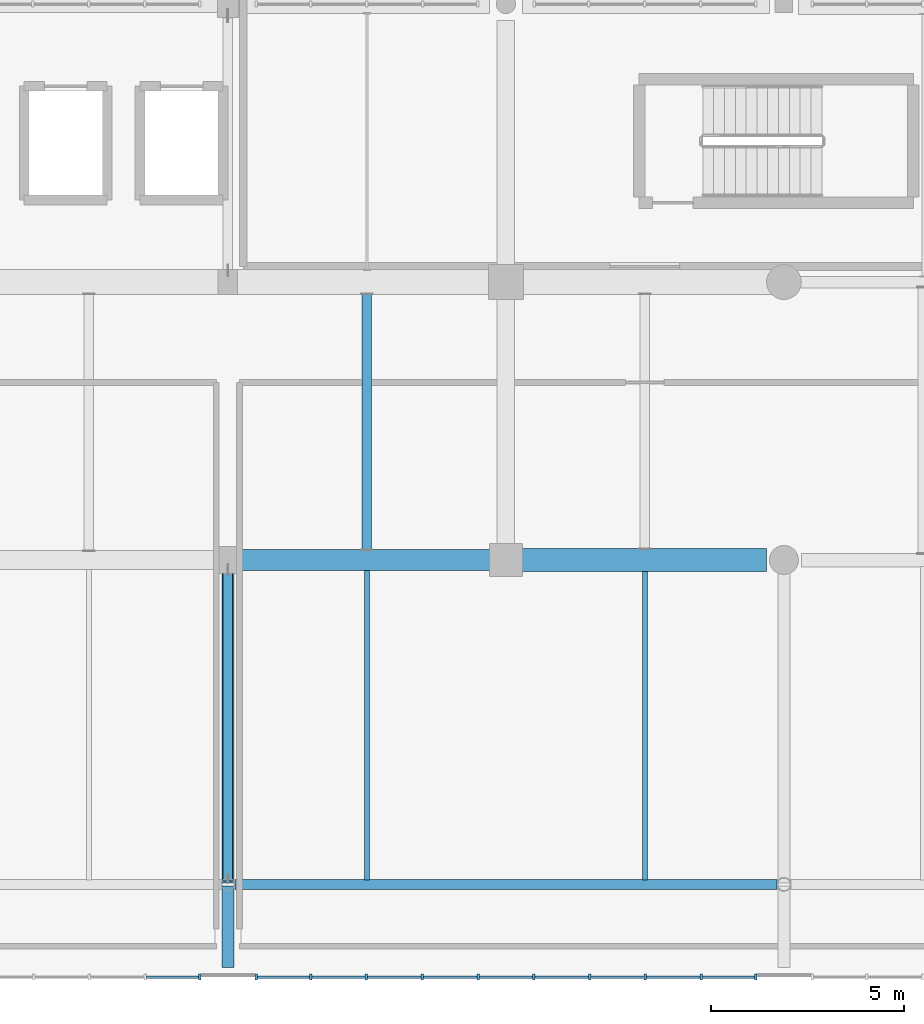
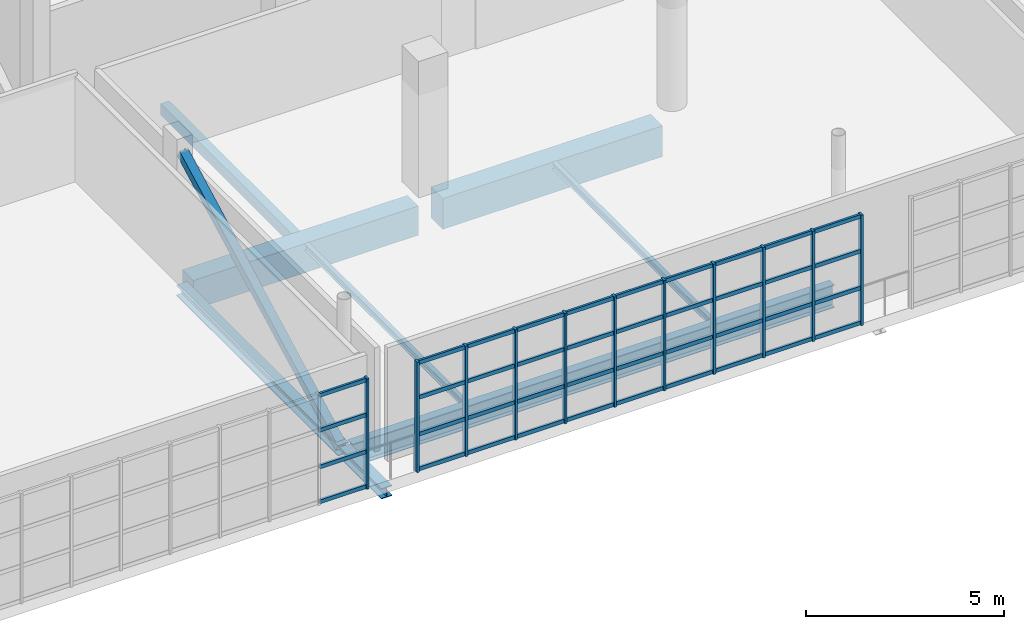
# One storey, part 28 of 90: 52 members, 8 beams, 2 elements without a shape of their own.
"""IFC4 building model written with IfcOpenShell, lengths in metres."""

from ifc_helpers import new_model, si_unit, direction, frame, origin, origin_2d, place, context, subcontext, project, spatial, rectangle, hollow_rectangle, i_section, extrude, material, material_profile, profile_set, type_object, element, aggregate, save


model = new_model("IFC4")

# Units and contexts
model_context = context("Model", 3, precision=1e-05, world=origin(), true_north=direction((0.0, 1.0)))
body_context = subcontext(model_context, "Body", "Model", "MODEL_VIEW")
ifc_project = project(units=[si_unit("LENGTHUNIT", "METRE"), si_unit("AREAUNIT", "SQUARE_METRE"), si_unit("VOLUMEUNIT", "CUBIC_METRE"), si_unit("PLANEANGLEUNIT", "RADIAN"), si_unit("MASSUNIT", "GRAM", prefix="KILO")], contexts=[model_context])

# Site, building, storey
site_placement = place(None, origin())
site = spatial("IfcSite", under=ifc_project, at=site_placement, CompositionType="ELEMENT")
building_placement = place(site_placement, origin())
building = spatial("IfcBuilding", under=site, at=building_placement, Name="Solanera Park Tramway Depot", CompositionType="ELEMENT")
storey_placement = place(building_placement, frame((0.0, 0.0, 9.0)))
storey = spatial("IfcBuildingStorey", under=building, at=storey_placement, Name="L02", CompositionType="ELEMENT", Elevation=9.0)

# Curtain wall, member
ifc_material_1 = material(Name="Bronze-anodised thermally broken aluminium curtain wall", Category="aluminium")
curtain_wall_type = type_object("IfcCurtainWallType", Name="Cantilevered OCC Inclined Glazing Wall", PredefinedType="NOTDEFINED", material=ifc_material_1)
curtain_wall_1_placement = place(storey_placement, origin())
curtain_wall_1 = element("IfcCurtainWall", 1, at=curtain_wall_1_placement, inside=storey, type_object=curtain_wall_type, Name="L02 Cantilevered OCC Inclined Glazing Wall #115", PredefinedType="NOTDEFINED")
ifc_material_2 = material(Name="Bronze-anodised structural aluminium 6063-T6", Category="aluminium")
ifc_material_profile_1 = material_profile(ifc_material_2, rectangle(XDim=0.06494140625, YDim=0.14990234375, at=origin_2d()), Name="Curtain Wall Mullion 65x150")
ifc_profile_set_1 = profile_set([ifc_material_profile_1], Name="Bronze-anodised structural aluminium 6063-T6")
member_type_1 = type_object("IfcMemberType", Name="Curtain Wall Mullion 65x150", PredefinedType="MULLION", material=ifc_profile_set_1)
member_1_placement = place(storey_placement, frame((128.867431640625, 0.0, 0.0), z_axis=(0.0, 0.0, 1.0), x_axis=(1.0, 0.0, 0.0)))
member_1 = element("IfcMember", 2, at=member_1_placement, type_object=member_type_1, Name="CW-L02-115 Mullion 10", PredefinedType="MULLION", context=body_context, shape_type="SweptSolid", body=[
    extrude(rectangle(XDim=0.06494140625, YDim=0.14990234375, at=origin_2d()), origin(), (0.0, 0.0, 1.0), 3.39990234375),
])

# Curtain wall, members
curtain_wall_2_placement = place(storey_placement, origin())
curtain_wall_2 = element("IfcCurtainWall", 3, at=curtain_wall_2_placement, inside=storey, type_object=curtain_wall_type, Name="L02 Cantilevered OCC Inclined Glazing Wall #116", PredefinedType="NOTDEFINED")
member_2_placement = place(storey_placement, frame((130.33251953125, 0.0, 0.0), z_axis=(0.0, 0.0, 1.0), x_axis=(1.0, 0.0, 0.0)))
member_2 = element("IfcMember", 4, at=member_2_placement, type_object=member_type_1, Name="CW-L02-116 Mullion 1", PredefinedType="MULLION", context=body_context, shape_type="SweptSolid", body=[
    extrude(rectangle(XDim=0.06494140625, YDim=0.14990234375, at=origin_2d()), origin(), (0.0, 0.0, 1.0), 3.39990234375),
])
member_3_placement = place(storey_placement, frame((131.744384765625, 0.0, 0.0), z_axis=(0.0, 0.0, 1.0), x_axis=(1.0, 0.0, 0.0)))
member_3 = element("IfcMember", 5, at=member_3_placement, type_object=member_type_1, Name="CW-L02-116 Mullion 2", PredefinedType="MULLION", context=body_context, shape_type="SweptSolid", body=[
    extrude(rectangle(XDim=0.06494140625, YDim=0.14990234375, at=origin_2d()), origin(), (0.0, 0.0, 1.0), 3.39990234375),
])
member_4_placement = place(storey_placement, frame((133.18896484375, 0.0, 0.0), z_axis=(0.0, 0.0, 1.0), x_axis=(1.0, 0.0, 0.0)))
member_4 = element("IfcMember", 6, at=member_4_placement, type_object=member_type_1, Name="CW-L02-116 Mullion 3", PredefinedType="MULLION", context=body_context, shape_type="SweptSolid", body=[
    extrude(rectangle(XDim=0.06494140625, YDim=0.14990234375, at=origin_2d()), origin(), (0.0, 0.0, 1.0), 3.39990234375),
])
member_5_placement = place(storey_placement, frame((134.63330078125, 0.0, 0.0), z_axis=(0.0, 0.0, 1.0), x_axis=(1.0, 0.0, 0.0)))
member_5 = element("IfcMember", 7, at=member_5_placement, type_object=member_type_1, Name="CW-L02-116 Mullion 4", PredefinedType="MULLION", context=body_context, shape_type="SweptSolid", body=[
    extrude(rectangle(XDim=0.06494140625, YDim=0.14990234375, at=origin_2d()), origin(), (0.0, 0.0, 1.0), 3.39990234375),
])
member_6_placement = place(storey_placement, frame((136.077880859375, 0.0, 0.0), z_axis=(0.0, 0.0, 1.0), x_axis=(1.0, 0.0, 0.0)))
member_6 = element("IfcMember", 8, at=member_6_placement, type_object=member_type_1, Name="CW-L02-116 Mullion 5", PredefinedType="MULLION", context=body_context, shape_type="SweptSolid", body=[
    extrude(rectangle(XDim=0.06494140625, YDim=0.14990234375, at=origin_2d()), origin(), (0.0, 0.0, 1.0), 3.39990234375),
])
member_7_placement = place(storey_placement, frame((137.522216796875, 0.0, 0.0), z_axis=(0.0, 0.0, 1.0), x_axis=(1.0, 0.0, 0.0)))
member_7 = element("IfcMember", 9, at=member_7_placement, type_object=member_type_1, Name="CW-L02-116 Mullion 6", PredefinedType="MULLION", context=body_context, shape_type="SweptSolid", body=[
    extrude(rectangle(XDim=0.06494140625, YDim=0.14990234375, at=origin_2d()), origin(), (0.0, 0.0, 1.0), 3.39990234375),
])
member_8_placement = place(storey_placement, frame((138.966796875, 0.0, 0.0), z_axis=(0.0, 0.0, 1.0), x_axis=(1.0, 0.0, 0.0)))
member_8 = element("IfcMember", 10, at=member_8_placement, type_object=member_type_1, Name="CW-L02-116 Mullion 7", PredefinedType="MULLION", context=body_context, shape_type="SweptSolid", body=[
    extrude(rectangle(XDim=0.06494140625, YDim=0.14990234375, at=origin_2d()), origin(), (0.0, 0.0, 1.0), 3.39990234375),
])
member_9_placement = place(storey_placement, frame((140.4111328125, 0.0, 0.0), z_axis=(0.0, 0.0, 1.0), x_axis=(1.0, 0.0, 0.0)))
member_9 = element("IfcMember", 11, at=member_9_placement, type_object=member_type_1, Name="CW-L02-116 Mullion 8", PredefinedType="MULLION", context=body_context, shape_type="SweptSolid", body=[
    extrude(rectangle(XDim=0.06494140625, YDim=0.14990234375, at=origin_2d()), origin(), (0.0, 0.0, 1.0), 3.39990234375),
])
member_10_placement = place(storey_placement, frame((141.855712890625, 0.0, 0.0), z_axis=(0.0, 0.0, 1.0), x_axis=(1.0, 0.0, 0.0)))
member_10 = element("IfcMember", 12, at=member_10_placement, type_object=member_type_1, Name="CW-L02-116 Mullion 9", PredefinedType="MULLION", context=body_context, shape_type="SweptSolid", body=[
    extrude(rectangle(XDim=0.06494140625, YDim=0.14990234375, at=origin_2d()), origin(), (0.0, 0.0, 1.0), 3.39990234375),
])
member_11_placement = place(storey_placement, frame((143.267578125, 0.0, 0.0), z_axis=(0.0, 0.0, 1.0), x_axis=(1.0, 0.0, 0.0)))
member_11 = element("IfcMember", 13, at=member_11_placement, type_object=member_type_1, Name="CW-L02-116 Mullion 10", PredefinedType="MULLION", context=body_context, shape_type="SweptSolid", body=[
    extrude(rectangle(XDim=0.06494140625, YDim=0.14990234375, at=origin_2d()), origin(), (0.0, 0.0, 1.0), 3.39990234375),
])

# Member
ifc_material_3 = material(Name="Bronze-anodised structural aluminium 6063-T6", Category="aluminium")
ifc_material_profile_2 = material_profile(ifc_material_3, rectangle(XDim=0.06494140625, YDim=0.1201171875, at=origin_2d()), Name="Curtain Wall Transom 65x120")
ifc_profile_set_2 = profile_set([ifc_material_profile_2], Name="Bronze-anodised structural aluminium 6063-T6")
member_type_2 = type_object("IfcMemberType", Name="Curtain Wall Transom 65x120", PredefinedType="USERDEFINED", material=ifc_profile_set_2)
member_12_placement = place(storey_placement, frame((127.483642578125, 0.0, 0.06005859375), z_axis=(1.0, 0.0, 0.0), x_axis=(0.0, 1.0, 0.0)))
member_12 = element("IfcMember", 14, at=member_12_placement, type_object=member_type_2, Name="CW-L02-115 Transom R1.C9", ObjectType="TRANSOM", PredefinedType="USERDEFINED", context=body_context, shape_type="SweptSolid", body=[
    extrude(rectangle(XDim=0.06494140625, YDim=0.1201171875, at=origin_2d()), origin(), (0.0, 0.0, 1.0), 1.35595703125),
])

member_13_placement = place(storey_placement, frame((127.483642578125, 0.0, 1.13330078125), z_axis=(1.0, 0.0, 0.0), x_axis=(0.0, 1.0, 0.0)))
member_13 = element("IfcMember", 15, at=member_13_placement, type_object=member_type_2, Name="CW-L02-115 Transom R2.C9", ObjectType="TRANSOM", PredefinedType="USERDEFINED", context=body_context, shape_type="SweptSolid", body=[
    extrude(rectangle(XDim=0.06494140625, YDim=0.1201171875, at=origin_2d()), origin(), (0.0, 0.0, 1.0), 1.35595703125),
])

member_14_placement = place(storey_placement, frame((127.483642578125, 0.0, 2.2666015625), z_axis=(1.0, 0.0, 0.0), x_axis=(0.0, 1.0, 0.0)))
member_14 = element("IfcMember", 16, at=member_14_placement, type_object=member_type_2, Name="CW-L02-115 Transom R3.C9", ObjectType="TRANSOM", PredefinedType="USERDEFINED", context=body_context, shape_type="SweptSolid", body=[
    extrude(rectangle(XDim=0.06494140625, YDim=0.1201171875, at=origin_2d()), origin(), (0.0, 0.0, 1.0), 1.35595703125),
])

member_15_placement = place(storey_placement, frame((127.483642578125, 0.0, 3.340087890625), z_axis=(1.0, 0.0, 0.0), x_axis=(0.0, 1.0, 0.0)))
member_15 = element("IfcMember", 17, at=member_15_placement, type_object=member_type_2, Name="CW-L02-115 Transom R4.C9", ObjectType="TRANSOM", PredefinedType="USERDEFINED", context=body_context, shape_type="SweptSolid", body=[
    extrude(rectangle(XDim=0.06494140625, YDim=0.1201171875, at=origin_2d()), origin(), (0.0, 0.0, 1.0), 1.35595703125),
])

aggregate(curtain_wall_1, [member_1, member_12, member_13, member_14, member_15])

member_16_placement = place(storey_placement, frame((130.360595703125, 0.0, 0.06005859375), z_axis=(1.0, 0.0, 0.0), x_axis=(0.0, 1.0, 0.0)))
member_16 = element("IfcMember", 18, at=member_16_placement, type_object=member_type_2, Name="CW-L02-116 Transom R1.C1", ObjectType="TRANSOM", PredefinedType="USERDEFINED", context=body_context, shape_type="SweptSolid", body=[
    extrude(rectangle(XDim=0.06494140625, YDim=0.1201171875, at=origin_2d()), origin(), (0.0, 0.0, 1.0), 1.355712890625),
])

member_17_placement = place(storey_placement, frame((131.7724609375, 0.0, 0.06005859375), z_axis=(1.0, 0.0, 0.0), x_axis=(0.0, 1.0, 0.0)))
member_17 = element("IfcMember", 19, at=member_17_placement, type_object=member_type_2, Name="CW-L02-116 Transom R1.C2", ObjectType="TRANSOM", PredefinedType="USERDEFINED", context=body_context, shape_type="SweptSolid", body=[
    extrude(rectangle(XDim=0.06494140625, YDim=0.1201171875, at=origin_2d()), origin(), (0.0, 0.0, 1.0), 1.388427734375),
])

member_18_placement = place(storey_placement, frame((133.216796875, 0.0, 0.06005859375), z_axis=(1.0, 0.0, 0.0), x_axis=(0.0, 1.0, 0.0)))
member_18 = element("IfcMember", 20, at=member_18_placement, type_object=member_type_2, Name="CW-L02-116 Transom R1.C3", ObjectType="TRANSOM", PredefinedType="USERDEFINED", context=body_context, shape_type="SweptSolid", body=[
    extrude(rectangle(XDim=0.06494140625, YDim=0.1201171875, at=origin_2d()), origin(), (0.0, 0.0, 1.0), 1.388427734375),
])

member_19_placement = place(storey_placement, frame((134.661376953125, 0.0, 0.06005859375), z_axis=(1.0, 0.0, 0.0), x_axis=(0.0, 1.0, 0.0)))
member_19 = element("IfcMember", 21, at=member_19_placement, type_object=member_type_2, Name="CW-L02-116 Transom R1.C4", ObjectType="TRANSOM", PredefinedType="USERDEFINED", context=body_context, shape_type="SweptSolid", body=[
    extrude(rectangle(XDim=0.06494140625, YDim=0.1201171875, at=origin_2d()), origin(), (0.0, 0.0, 1.0), 1.388427734375),
])

member_20_placement = place(storey_placement, frame((136.105712890625, 0.0, 0.06005859375), z_axis=(1.0, 0.0, 0.0), x_axis=(0.0, 1.0, 0.0)))
member_20 = element("IfcMember", 22, at=member_20_placement, type_object=member_type_2, Name="CW-L02-116 Transom R1.C5", ObjectType="TRANSOM", PredefinedType="USERDEFINED", context=body_context, shape_type="SweptSolid", body=[
    extrude(rectangle(XDim=0.06494140625, YDim=0.1201171875, at=origin_2d()), origin(), (0.0, 0.0, 1.0), 1.388427734375),
])

member_21_placement = place(storey_placement, frame((137.55029296875, 0.0, 0.06005859375), z_axis=(1.0, 0.0, 0.0), x_axis=(0.0, 1.0, 0.0)))
member_21 = element("IfcMember", 23, at=member_21_placement, type_object=member_type_2, Name="CW-L02-116 Transom R1.C6", ObjectType="TRANSOM", PredefinedType="USERDEFINED", context=body_context, shape_type="SweptSolid", body=[
    extrude(rectangle(XDim=0.06494140625, YDim=0.1201171875, at=origin_2d()), origin(), (0.0, 0.0, 1.0), 1.388427734375),
])

member_22_placement = place(storey_placement, frame((138.99462890625, 0.0, 0.06005859375), z_axis=(1.0, 0.0, 0.0), x_axis=(0.0, 1.0, 0.0)))
member_22 = element("IfcMember", 24, at=member_22_placement, type_object=member_type_2, Name="CW-L02-116 Transom R1.C7", ObjectType="TRANSOM", PredefinedType="USERDEFINED", context=body_context, shape_type="SweptSolid", body=[
    extrude(rectangle(XDim=0.06494140625, YDim=0.1201171875, at=origin_2d()), origin(), (0.0, 0.0, 1.0), 1.388427734375),
])

member_23_placement = place(storey_placement, frame((140.439208984375, 0.0, 0.06005859375), z_axis=(1.0, 0.0, 0.0), x_axis=(0.0, 1.0, 0.0)))
member_23 = element("IfcMember", 25, at=member_23_placement, type_object=member_type_2, Name="CW-L02-116 Transom R1.C8", ObjectType="TRANSOM", PredefinedType="USERDEFINED", context=body_context, shape_type="SweptSolid", body=[
    extrude(rectangle(XDim=0.06494140625, YDim=0.1201171875, at=origin_2d()), origin(), (0.0, 0.0, 1.0), 1.388427734375),
])

member_24_placement = place(storey_placement, frame((141.883544921875, 0.0, 0.06005859375), z_axis=(1.0, 0.0, 0.0), x_axis=(0.0, 1.0, 0.0)))
member_24 = element("IfcMember", 26, at=member_24_placement, type_object=member_type_2, Name="CW-L02-116 Transom R1.C9", ObjectType="TRANSOM", PredefinedType="USERDEFINED", context=body_context, shape_type="SweptSolid", body=[
    extrude(rectangle(XDim=0.06494140625, YDim=0.1201171875, at=origin_2d()), origin(), (0.0, 0.0, 1.0), 1.35595703125),
])

member_25_placement = place(storey_placement, frame((130.360595703125, 0.0, 1.13330078125), z_axis=(1.0, 0.0, 0.0), x_axis=(0.0, 1.0, 0.0)))
member_25 = element("IfcMember", 27, at=member_25_placement, type_object=member_type_2, Name="CW-L02-116 Transom R2.C1", ObjectType="TRANSOM", PredefinedType="USERDEFINED", context=body_context, shape_type="SweptSolid", body=[
    extrude(rectangle(XDim=0.06494140625, YDim=0.1201171875, at=origin_2d()), origin(), (0.0, 0.0, 1.0), 1.355712890625),
])

member_26_placement = place(storey_placement, frame((131.7724609375, 0.0, 1.13330078125), z_axis=(1.0, 0.0, 0.0), x_axis=(0.0, 1.0, 0.0)))
member_26 = element("IfcMember", 28, at=member_26_placement, type_object=member_type_2, Name="CW-L02-116 Transom R2.C2", ObjectType="TRANSOM", PredefinedType="USERDEFINED", context=body_context, shape_type="SweptSolid", body=[
    extrude(rectangle(XDim=0.06494140625, YDim=0.1201171875, at=origin_2d()), origin(), (0.0, 0.0, 1.0), 1.388427734375),
])

member_27_placement = place(storey_placement, frame((133.216796875, 0.0, 1.13330078125), z_axis=(1.0, 0.0, 0.0), x_axis=(0.0, 1.0, 0.0)))
member_27 = element("IfcMember", 29, at=member_27_placement, type_object=member_type_2, Name="CW-L02-116 Transom R2.C3", ObjectType="TRANSOM", PredefinedType="USERDEFINED", context=body_context, shape_type="SweptSolid", body=[
    extrude(rectangle(XDim=0.06494140625, YDim=0.1201171875, at=origin_2d()), origin(), (0.0, 0.0, 1.0), 1.388427734375),
])

member_28_placement = place(storey_placement, frame((134.661376953125, 0.0, 1.13330078125), z_axis=(1.0, 0.0, 0.0), x_axis=(0.0, 1.0, 0.0)))
member_28 = element("IfcMember", 30, at=member_28_placement, type_object=member_type_2, Name="CW-L02-116 Transom R2.C4", ObjectType="TRANSOM", PredefinedType="USERDEFINED", context=body_context, shape_type="SweptSolid", body=[
    extrude(rectangle(XDim=0.06494140625, YDim=0.1201171875, at=origin_2d()), origin(), (0.0, 0.0, 1.0), 1.388427734375),
])

member_29_placement = place(storey_placement, frame((136.105712890625, 0.0, 1.13330078125), z_axis=(1.0, 0.0, 0.0), x_axis=(0.0, 1.0, 0.0)))
member_29 = element("IfcMember", 31, at=member_29_placement, type_object=member_type_2, Name="CW-L02-116 Transom R2.C5", ObjectType="TRANSOM", PredefinedType="USERDEFINED", context=body_context, shape_type="SweptSolid", body=[
    extrude(rectangle(XDim=0.06494140625, YDim=0.1201171875, at=origin_2d()), origin(), (0.0, 0.0, 1.0), 1.388427734375),
])

member_30_placement = place(storey_placement, frame((137.55029296875, 0.0, 1.13330078125), z_axis=(1.0, 0.0, 0.0), x_axis=(0.0, 1.0, 0.0)))
member_30 = element("IfcMember", 32, at=member_30_placement, type_object=member_type_2, Name="CW-L02-116 Transom R2.C6", ObjectType="TRANSOM", PredefinedType="USERDEFINED", context=body_context, shape_type="SweptSolid", body=[
    extrude(rectangle(XDim=0.06494140625, YDim=0.1201171875, at=origin_2d()), origin(), (0.0, 0.0, 1.0), 1.388427734375),
])

member_31_placement = place(storey_placement, frame((138.99462890625, 0.0, 1.13330078125), z_axis=(1.0, 0.0, 0.0), x_axis=(0.0, 1.0, 0.0)))
member_31 = element("IfcMember", 33, at=member_31_placement, type_object=member_type_2, Name="CW-L02-116 Transom R2.C7", ObjectType="TRANSOM", PredefinedType="USERDEFINED", context=body_context, shape_type="SweptSolid", body=[
    extrude(rectangle(XDim=0.06494140625, YDim=0.1201171875, at=origin_2d()), origin(), (0.0, 0.0, 1.0), 1.388427734375),
])

member_32_placement = place(storey_placement, frame((140.439208984375, 0.0, 1.13330078125), z_axis=(1.0, 0.0, 0.0), x_axis=(0.0, 1.0, 0.0)))
member_32 = element("IfcMember", 34, at=member_32_placement, type_object=member_type_2, Name="CW-L02-116 Transom R2.C8", ObjectType="TRANSOM", PredefinedType="USERDEFINED", context=body_context, shape_type="SweptSolid", body=[
    extrude(rectangle(XDim=0.06494140625, YDim=0.1201171875, at=origin_2d()), origin(), (0.0, 0.0, 1.0), 1.388427734375),
])

member_33_placement = place(storey_placement, frame((141.883544921875, 0.0, 1.13330078125), z_axis=(1.0, 0.0, 0.0), x_axis=(0.0, 1.0, 0.0)))
member_33 = element("IfcMember", 35, at=member_33_placement, type_object=member_type_2, Name="CW-L02-116 Transom R2.C9", ObjectType="TRANSOM", PredefinedType="USERDEFINED", context=body_context, shape_type="SweptSolid", body=[
    extrude(rectangle(XDim=0.06494140625, YDim=0.1201171875, at=origin_2d()), origin(), (0.0, 0.0, 1.0), 1.35595703125),
])

member_34_placement = place(storey_placement, frame((130.360595703125, 0.0, 2.2666015625), z_axis=(1.0, 0.0, 0.0), x_axis=(0.0, 1.0, 0.0)))
member_34 = element("IfcMember", 36, at=member_34_placement, type_object=member_type_2, Name="CW-L02-116 Transom R3.C1", ObjectType="TRANSOM", PredefinedType="USERDEFINED", context=body_context, shape_type="SweptSolid", body=[
    extrude(rectangle(XDim=0.06494140625, YDim=0.1201171875, at=origin_2d()), origin(), (0.0, 0.0, 1.0), 1.355712890625),
])

member_35_placement = place(storey_placement, frame((131.7724609375, 0.0, 2.2666015625), z_axis=(1.0, 0.0, 0.0), x_axis=(0.0, 1.0, 0.0)))
member_35 = element("IfcMember", 37, at=member_35_placement, type_object=member_type_2, Name="CW-L02-116 Transom R3.C2", ObjectType="TRANSOM", PredefinedType="USERDEFINED", context=body_context, shape_type="SweptSolid", body=[
    extrude(rectangle(XDim=0.06494140625, YDim=0.1201171875, at=origin_2d()), origin(), (0.0, 0.0, 1.0), 1.388427734375),
])

member_36_placement = place(storey_placement, frame((133.216796875, 0.0, 2.2666015625), z_axis=(1.0, 0.0, 0.0), x_axis=(0.0, 1.0, 0.0)))
member_36 = element("IfcMember", 38, at=member_36_placement, type_object=member_type_2, Name="CW-L02-116 Transom R3.C3", ObjectType="TRANSOM", PredefinedType="USERDEFINED", context=body_context, shape_type="SweptSolid", body=[
    extrude(rectangle(XDim=0.06494140625, YDim=0.1201171875, at=origin_2d()), origin(), (0.0, 0.0, 1.0), 1.388427734375),
])

member_37_placement = place(storey_placement, frame((134.661376953125, 0.0, 2.2666015625), z_axis=(1.0, 0.0, 0.0), x_axis=(0.0, 1.0, 0.0)))
member_37 = element("IfcMember", 39, at=member_37_placement, type_object=member_type_2, Name="CW-L02-116 Transom R3.C4", ObjectType="TRANSOM", PredefinedType="USERDEFINED", context=body_context, shape_type="SweptSolid", body=[
    extrude(rectangle(XDim=0.06494140625, YDim=0.1201171875, at=origin_2d()), origin(), (0.0, 0.0, 1.0), 1.388427734375),
])

member_38_placement = place(storey_placement, frame((136.105712890625, 0.0, 2.2666015625), z_axis=(1.0, 0.0, 0.0), x_axis=(0.0, 1.0, 0.0)))
member_38 = element("IfcMember", 40, at=member_38_placement, type_object=member_type_2, Name="CW-L02-116 Transom R3.C5", ObjectType="TRANSOM", PredefinedType="USERDEFINED", context=body_context, shape_type="SweptSolid", body=[
    extrude(rectangle(XDim=0.06494140625, YDim=0.1201171875, at=origin_2d()), origin(), (0.0, 0.0, 1.0), 1.388427734375),
])

member_39_placement = place(storey_placement, frame((137.55029296875, 0.0, 2.2666015625), z_axis=(1.0, 0.0, 0.0), x_axis=(0.0, 1.0, 0.0)))
member_39 = element("IfcMember", 41, at=member_39_placement, type_object=member_type_2, Name="CW-L02-116 Transom R3.C6", ObjectType="TRANSOM", PredefinedType="USERDEFINED", context=body_context, shape_type="SweptSolid", body=[
    extrude(rectangle(XDim=0.06494140625, YDim=0.1201171875, at=origin_2d()), origin(), (0.0, 0.0, 1.0), 1.388427734375),
])

member_40_placement = place(storey_placement, frame((138.99462890625, 0.0, 2.2666015625), z_axis=(1.0, 0.0, 0.0), x_axis=(0.0, 1.0, 0.0)))
member_40 = element("IfcMember", 42, at=member_40_placement, type_object=member_type_2, Name="CW-L02-116 Transom R3.C7", ObjectType="TRANSOM", PredefinedType="USERDEFINED", context=body_context, shape_type="SweptSolid", body=[
    extrude(rectangle(XDim=0.06494140625, YDim=0.1201171875, at=origin_2d()), origin(), (0.0, 0.0, 1.0), 1.388427734375),
])

member_41_placement = place(storey_placement, frame((140.439208984375, 0.0, 2.2666015625), z_axis=(1.0, 0.0, 0.0), x_axis=(0.0, 1.0, 0.0)))
member_41 = element("IfcMember", 43, at=member_41_placement, type_object=member_type_2, Name="CW-L02-116 Transom R3.C8", ObjectType="TRANSOM", PredefinedType="USERDEFINED", context=body_context, shape_type="SweptSolid", body=[
    extrude(rectangle(XDim=0.06494140625, YDim=0.1201171875, at=origin_2d()), origin(), (0.0, 0.0, 1.0), 1.388427734375),
])

member_42_placement = place(storey_placement, frame((141.883544921875, 0.0, 2.2666015625), z_axis=(1.0, 0.0, 0.0), x_axis=(0.0, 1.0, 0.0)))
member_42 = element("IfcMember", 44, at=member_42_placement, type_object=member_type_2, Name="CW-L02-116 Transom R3.C9", ObjectType="TRANSOM", PredefinedType="USERDEFINED", context=body_context, shape_type="SweptSolid", body=[
    extrude(rectangle(XDim=0.06494140625, YDim=0.1201171875, at=origin_2d()), origin(), (0.0, 0.0, 1.0), 1.35595703125),
])

member_43_placement = place(storey_placement, frame((130.360595703125, 0.0, 3.340087890625), z_axis=(1.0, 0.0, 0.0), x_axis=(0.0, 1.0, 0.0)))
member_43 = element("IfcMember", 45, at=member_43_placement, type_object=member_type_2, Name="CW-L02-116 Transom R4.C1", ObjectType="TRANSOM", PredefinedType="USERDEFINED", context=body_context, shape_type="SweptSolid", body=[
    extrude(rectangle(XDim=0.06494140625, YDim=0.1201171875, at=origin_2d()), origin(), (0.0, 0.0, 1.0), 1.355712890625),
])

member_44_placement = place(storey_placement, frame((131.7724609375, 0.0, 3.340087890625), z_axis=(1.0, 0.0, 0.0), x_axis=(0.0, 1.0, 0.0)))
member_44 = element("IfcMember", 46, at=member_44_placement, type_object=member_type_2, Name="CW-L02-116 Transom R4.C2", ObjectType="TRANSOM", PredefinedType="USERDEFINED", context=body_context, shape_type="SweptSolid", body=[
    extrude(rectangle(XDim=0.06494140625, YDim=0.1201171875, at=origin_2d()), origin(), (0.0, 0.0, 1.0), 1.388427734375),
])

member_45_placement = place(storey_placement, frame((133.216796875, 0.0, 3.340087890625), z_axis=(1.0, 0.0, 0.0), x_axis=(0.0, 1.0, 0.0)))
member_45 = element("IfcMember", 47, at=member_45_placement, type_object=member_type_2, Name="CW-L02-116 Transom R4.C3", ObjectType="TRANSOM", PredefinedType="USERDEFINED", context=body_context, shape_type="SweptSolid", body=[
    extrude(rectangle(XDim=0.06494140625, YDim=0.1201171875, at=origin_2d()), origin(), (0.0, 0.0, 1.0), 1.388427734375),
])

member_46_placement = place(storey_placement, frame((134.661376953125, 0.0, 3.340087890625), z_axis=(1.0, 0.0, 0.0), x_axis=(0.0, 1.0, 0.0)))
member_46 = element("IfcMember", 48, at=member_46_placement, type_object=member_type_2, Name="CW-L02-116 Transom R4.C4", ObjectType="TRANSOM", PredefinedType="USERDEFINED", context=body_context, shape_type="SweptSolid", body=[
    extrude(rectangle(XDim=0.06494140625, YDim=0.1201171875, at=origin_2d()), origin(), (0.0, 0.0, 1.0), 1.388427734375),
])

member_47_placement = place(storey_placement, frame((136.105712890625, 0.0, 3.340087890625), z_axis=(1.0, 0.0, 0.0), x_axis=(0.0, 1.0, 0.0)))
member_47 = element("IfcMember", 49, at=member_47_placement, type_object=member_type_2, Name="CW-L02-116 Transom R4.C5", ObjectType="TRANSOM", PredefinedType="USERDEFINED", context=body_context, shape_type="SweptSolid", body=[
    extrude(rectangle(XDim=0.06494140625, YDim=0.1201171875, at=origin_2d()), origin(), (0.0, 0.0, 1.0), 1.388427734375),
])

member_48_placement = place(storey_placement, frame((137.55029296875, 0.0, 3.340087890625), z_axis=(1.0, 0.0, 0.0), x_axis=(0.0, 1.0, 0.0)))
member_48 = element("IfcMember", 50, at=member_48_placement, type_object=member_type_2, Name="CW-L02-116 Transom R4.C6", ObjectType="TRANSOM", PredefinedType="USERDEFINED", context=body_context, shape_type="SweptSolid", body=[
    extrude(rectangle(XDim=0.06494140625, YDim=0.1201171875, at=origin_2d()), origin(), (0.0, 0.0, 1.0), 1.388427734375),
])

member_49_placement = place(storey_placement, frame((138.99462890625, 0.0, 3.340087890625), z_axis=(1.0, 0.0, 0.0), x_axis=(0.0, 1.0, 0.0)))
member_49 = element("IfcMember", 51, at=member_49_placement, type_object=member_type_2, Name="CW-L02-116 Transom R4.C7", ObjectType="TRANSOM", PredefinedType="USERDEFINED", context=body_context, shape_type="SweptSolid", body=[
    extrude(rectangle(XDim=0.06494140625, YDim=0.1201171875, at=origin_2d()), origin(), (0.0, 0.0, 1.0), 1.388427734375),
])

member_50_placement = place(storey_placement, frame((140.439208984375, 0.0, 3.340087890625), z_axis=(1.0, 0.0, 0.0), x_axis=(0.0, 1.0, 0.0)))
member_50 = element("IfcMember", 52, at=member_50_placement, type_object=member_type_2, Name="CW-L02-116 Transom R4.C8", ObjectType="TRANSOM", PredefinedType="USERDEFINED", context=body_context, shape_type="SweptSolid", body=[
    extrude(rectangle(XDim=0.06494140625, YDim=0.1201171875, at=origin_2d()), origin(), (0.0, 0.0, 1.0), 1.388427734375),
])

member_51_placement = place(storey_placement, frame((141.883544921875, 0.0, 3.340087890625), z_axis=(1.0, 0.0, 0.0), x_axis=(0.0, 1.0, 0.0)))
member_51 = element("IfcMember", 53, at=member_51_placement, type_object=member_type_2, Name="CW-L02-116 Transom R4.C9", ObjectType="TRANSOM", PredefinedType="USERDEFINED", context=body_context, shape_type="SweptSolid", body=[
    extrude(rectangle(XDim=0.06494140625, YDim=0.1201171875, at=origin_2d()), origin(), (0.0, 0.0, 1.0), 1.35595703125),
])

aggregate(curtain_wall_2, [member_2, member_3, member_4, member_5, member_6, member_7, member_8, member_9, member_10, member_11, member_16, member_17, member_18, member_19, member_20, member_21, member_22, member_23, member_24, member_25, member_26, member_27, member_28, member_29, member_30, member_31, member_32, member_33, member_34, member_35, member_36, member_37, member_38, member_39, member_40, member_41, member_42, member_43, member_44, member_45, member_46, member_47, member_48, member_49, member_50, member_51])

# Beams
ifc_material_4 = material(Name="Concrete N40 (C40/50)", Category="concrete")
ifc_material_profile_3 = material_profile(ifc_material_4, rectangle(XDim=0.550048828125, YDim=0.89990234375, at=origin_2d()), Name="RCB 550x900")
ifc_profile_set_3 = profile_set([ifc_material_profile_3], Name="Concrete N40 (C40/50)")
beam_type_1 = type_object("IfcBeamType", Name="RC Floor Beam RCB 550x900", PredefinedType="BEAM", material=ifc_profile_set_3)
beam_1_placement = place(storey_placement, frame((129.89990234375, 10.800048828125, -0.81396484375), z_axis=(1.0, 0.0, 0.0), x_axis=(0.0, 1.0, 0.0)))
element("IfcBeam", 54, at=beam_1_placement, inside=storey, type_object=beam_type_1, Name="L02 Primary X-Girder RCB 550x900 #0101", PredefinedType="BEAM", context=body_context, shape_type="SweptSolid", body=[
    extrude(rectangle(XDim=0.550048828125, YDim=0.89990234375, at=origin_2d()), origin(), (0.0, 0.0, 1.0), 6.550048828125),
])
ifc_material_5 = material(Name="Concrete N40 (C40/50)", Category="concrete")
ifc_material_profile_4 = material_profile(ifc_material_5, rectangle(XDim=0.60009765625, YDim=0.949951171875, at=origin_2d()), Name="RCB 600x950")
ifc_profile_set_4 = profile_set([ifc_material_profile_4], Name="Concrete N40 (C40/50)")
beam_type_2 = type_object("IfcBeamType", Name="RC Floor Beam RCB 600x950", PredefinedType="BEAM", material=ifc_profile_set_4)
beam_2_placement = place(storey_placement, frame((137.14990234375, 10.800048828125, -0.839111328125), z_axis=(1.0, 0.0, 0.0), x_axis=(0.0, 1.0, 0.0)))
element("IfcBeam", 55, at=beam_2_placement, inside=storey, type_object=beam_type_2, Name="L02 Primary X-Girder RCB 600x950 #0102", PredefinedType="BEAM", context=body_context, shape_type="SweptSolid", body=[
    extrude(rectangle(XDim=0.60009765625, YDim=0.949951171875, at=origin_2d()), origin(), (0.0, 0.0, 1.0), 6.400146484375),
])
ifc_material_6 = material(Name="Steel AS/NZS 3679.1 Grade 350", Category="steel")
ifc_material_profile_5 = material_profile(ifc_material_6, i_section(OverallWidth=0.310546875, OverallDepth=0.3271484375, WebThickness=0.015625, FlangeThickness=0.02490234375, at=origin_2d()), Name="310UC158")
ifc_profile_set_5 = profile_set([ifc_material_profile_5], Name="Steel AS/NZS 3679.1 Grade 350")
beam_type_3 = type_object("IfcBeamType", Name="Steel Beam 310UC158", PredefinedType="BEAM", material=ifc_profile_set_5)
beam_3_placement = place(storey_placement, frame((129.60009765625, 0.25, -0.550048828125), z_axis=(0.0, 1.0, 0.0), x_axis=(-1.0, 0.0, 0.0)))
element("IfcBeam", 56, at=beam_3_placement, inside=storey, type_object=beam_type_3, Name="L02 Transfer Truss Nose Cantilever 310UC158 #0310", PredefinedType="BEAM", context=body_context, shape_type="SweptSolid", body=[
    extrude(i_section(OverallWidth=0.310546875, OverallDepth=0.3271484375, WebThickness=0.015625, FlangeThickness=0.02490234375, at=origin_2d()), origin(), (0.0, 0.0, 1.0), 2.110107421875),
])
beam_4_placement = place(storey_placement, frame((129.60009765625, 2.43994140625, -0.550048828125), z_axis=(0.0, 1.0, 0.0), x_axis=(-1.0, 0.0, 0.0)))
element("IfcBeam", 57, at=beam_4_placement, inside=storey, type_object=beam_type_3, Name="L02 Transfer Truss Overhang Chord 310UC158 #0311", PredefinedType="BEAM", context=body_context, shape_type="SweptSolid", body=[
    extrude(i_section(OverallWidth=0.310546875, OverallDepth=0.3271484375, WebThickness=0.015625, FlangeThickness=0.02490234375, at=origin_2d()), origin(), (0.0, 0.0, 1.0), 8.16015625),
])
ifc_material_7 = material(Name="Steel AS/NZS 3679.1 Grade 350", Category="steel")
ifc_material_profile_6 = material_profile(ifc_material_7, i_section(OverallWidth=0.25, OverallDepth=0.699951171875, WebThickness=0.010009765625, FlangeThickness=0.02001953125, at=origin_2d()), Name="700WB130")
ifc_profile_set_6 = profile_set([ifc_material_profile_6], Name="Steel AS/NZS 3679.1 Grade 350")
beam_type_4 = type_object("IfcBeamType", Name="Steel Beam 700WB130", PredefinedType="BEAM", material=ifc_profile_set_6)
beam_5_placement = place(storey_placement, frame((129.780029296875, 2.39990234375, -0.715087890625), z_axis=(1.0, 0.0, 0.0), x_axis=(0.0, 1.0, 0.0)))
element("IfcBeam", 58, at=beam_5_placement, inside=storey, type_object=beam_type_4, Name="L02 Head-Block Transfer Tie Girder 700WB130 #0357", PredefinedType="BEAM", context=body_context, shape_type="SweptSolid", body=[
    extrude(i_section(OverallWidth=0.25, OverallDepth=0.699951171875, WebThickness=0.010009765625, FlangeThickness=0.02001953125, at=origin_2d()), origin(), (0.0, 0.0, 1.0), 14.0400390625),
])
ifc_material_8 = material(Name="Steel AS/NZS 3679.1 Grade 350", Category="steel")
ifc_material_profile_7 = material_profile(ifc_material_8, i_section(OverallWidth=0.13330078125, OverallDepth=0.203125, WebThickness=0.005859375, FlangeThickness=0.0078125, at=origin_2d()), Name="200UB25.4")
ifc_profile_set_7 = profile_set([ifc_material_profile_7], Name="Steel AS/NZS 3679.1 Grade 350")
beam_type_5 = type_object("IfcBeamType", Name="Steel Joist Purlin 200UB25.4", PredefinedType="JOIST", material=ifc_profile_set_7)
beam_6_placement = place(storey_placement, frame((133.199951171875, 2.51708984375, -0.465576171875), z_axis=(0.0, 1.0, 0.0), x_axis=(-1.0, 0.0, 0.0)))
element("IfcBeam", 59, at=beam_6_placement, inside=storey, type_object=beam_type_5, Name="L02 Secondary Floor Joist 200UB25.4 #0163", PredefinedType="JOIST", context=body_context, shape_type="SweptSolid", body=[
    extrude(i_section(OverallWidth=0.13330078125, OverallDepth=0.203125, WebThickness=0.005859375, FlangeThickness=0.0078125, at=origin_2d()), origin(), (0.0, 0.0, 1.0), 8.015869140625),
])
beam_7_placement = place(storey_placement, frame((140.39990234375, 2.51708984375, -0.465576171875), z_axis=(0.0, 1.0, 0.0), x_axis=(-1.0, 0.0, 0.0)))
element("IfcBeam", 60, at=beam_7_placement, inside=storey, type_object=beam_type_5, Name="L02 Secondary Floor Joist 200UB25.4 #0164", PredefinedType="JOIST", context=body_context, shape_type="SweptSolid", body=[
    extrude(i_section(OverallWidth=0.13330078125, OverallDepth=0.203125, WebThickness=0.005859375, FlangeThickness=0.0078125, at=origin_2d()), origin(), (0.0, 0.0, 1.0), 7.990966796875),
])
ifc_material_9 = material(Name="Steel AS/NZS 1163 Grade C350L0", Category="steel")
ifc_material_profile_8 = material_profile(ifc_material_9, hollow_rectangle(XDim=0.25, YDim=0.35009765625, WallThickness=0.010009765625, at=origin_2d()), Name="350x250x10.0 RHS")
ifc_profile_set_8 = profile_set([ifc_material_profile_8], Name="Steel AS/NZS 1163 Grade C350L0")
beam_type_6 = type_object("IfcBeamType", Name="Steel Joist Purlin 350x250x10.0 RHS", PredefinedType="JOIST", material=ifc_profile_set_8)
beam_8_placement = place(storey_placement, frame((133.199951171875, 11.06689453125, -0.5390625), z_axis=(0.0, 1.0, 0.0), x_axis=(-1.0, 0.0, 0.0)))
element("IfcBeam", 61, at=beam_8_placement, inside=storey, type_object=beam_type_6, Name="L02 Secondary Floor Joist 350x250x10.0 RHS #0174", PredefinedType="JOIST", context=body_context, shape_type="SweptSolid", body=[
    extrude(hollow_rectangle(XDim=0.25, YDim=0.35009765625, WallThickness=0.010009765625, at=origin_2d()), origin(), (0.0, 0.0, 1.0), 6.6162109375),
])

# Member
ifc_material_10 = material(Name="Steel AS/NZS 1163 Grade C350L0", Category="steel")
ifc_material_profile_9 = material_profile(ifc_material_10, hollow_rectangle(XDim=0.25, YDim=0.25, WallThickness=0.010009765625, at=origin_2d()), Name="250x250x10.0 SHS")
ifc_profile_set_9 = profile_set([ifc_material_profile_9], Name="Steel AS/NZS 1163 Grade C350L0")
member_type_3 = type_object("IfcMemberType", Name="Truss and Frame Brace 250x250x10.0 SHS", PredefinedType="BRACE", material=ifc_profile_set_9)
member_52_placement = place(storey_placement, frame((129.60009765625, 2.550048828125, -0.550048828125), z_axis=(0.0, 0.884030603602, 0.467429023377), x_axis=(-1.0, 0.0, 0.0)))
element("IfcMember", 62, at=member_52_placement, inside=storey, type_object=member_type_3, Name="Pratt Transfer Truss Web Diagonal #0001", PredefinedType="BRACE", context=body_context, shape_type="SweptSolid", body=[
    extrude(hollow_rectangle(XDim=0.25, YDim=0.25, WallThickness=0.010009765625, at=origin_2d()), origin(), (0.0, 0.0, 1.0), 9.049560546875),
])

save(model, "model.ifc")
